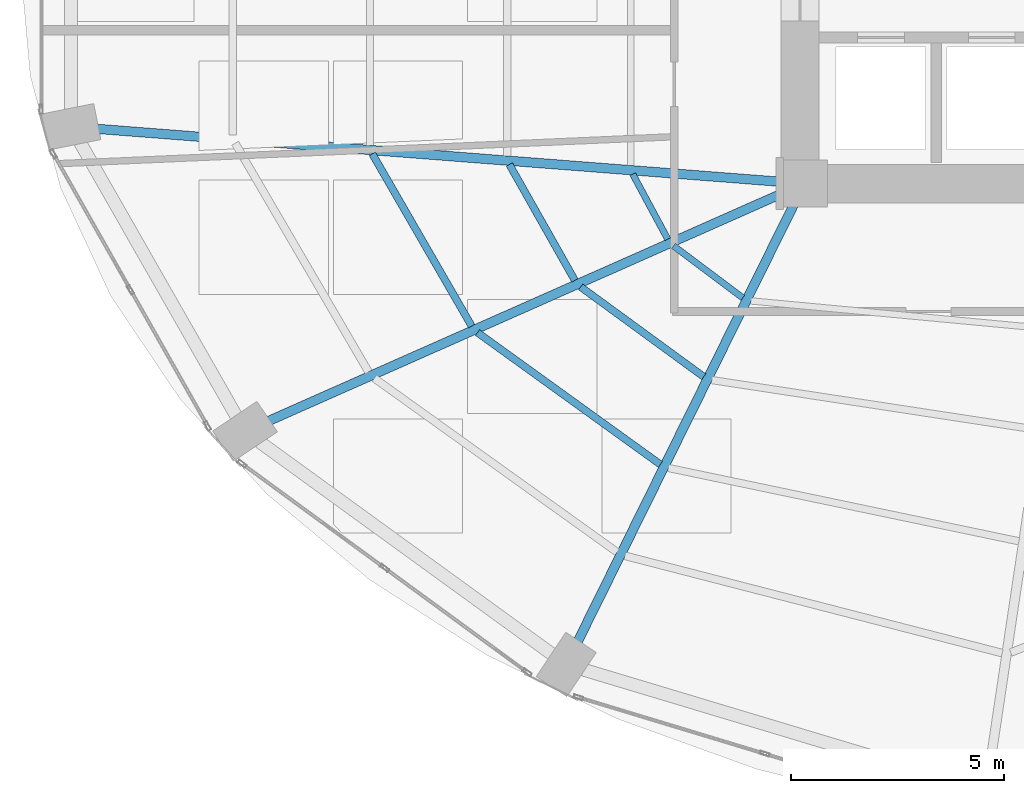
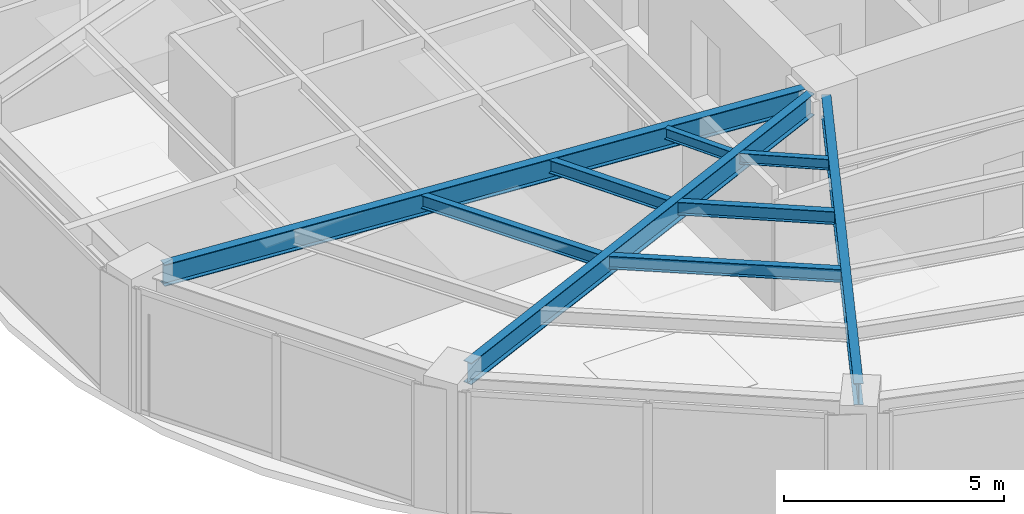
# One storey, part 4 of 25: 9 beams.
"""IFC4 building model written with IfcOpenShell, lengths in metres."""

import ifcopenshell
import ifcopenshell.guid

model = None  # the IFC model being written
_history = None  # IfcOwnerHistory: only IFC2X3 demands one
_inside = {}  # id of a spatial element -> (the spatial element, [elements in it])
_under = {}  # id of a project, library or spatial element -> (it, [spatial elements below it])
_declared = {}  # id of a project -> (the project, [libraries it declares])
_typed = {}  # id of a type object -> (the type object, [elements of that type])
_made_of = {}  # id of a material, layer set ... -> (it, [elements and type objects made of it])


def new_model(schema):
    """Start an empty IFC model of exactly this schema.

    Asked for "IFC4X3", IfcOpenShell would pick the latest addendum, in which some entities
    have other attributes; the version numbers below select the first issue.
    IFC2X3 requires an IfcOwnerHistory on every rooted entity: one is made here for all.
    """
    global model, _history
    if schema == "IFC4X3":
        model = ifcopenshell.file(schema_version=(4, 3, 0, 0))
    else:
        model = ifcopenshell.file(schema=schema)
    _inside.clear()
    _under.clear()
    _declared.clear()
    _typed.clear()
    _made_of.clear()
    _history = None
    if model.schema == "IFC2X3":
        org = make("IfcOrganization", Name="unknown")
        user = make(
            "IfcPersonAndOrganization",
            ThePerson=make("IfcPerson", FamilyName="unknown"),
            TheOrganization=org,
        )
        app = make(
            "IfcApplication",
            ApplicationDeveloper=org,
            Version="unknown",
            ApplicationFullName="unknown",
            ApplicationIdentifier="unknown",
        )
        _history = make(
            "IfcOwnerHistory",
            OwningUser=user,
            OwningApplication=app,
            ChangeAction="ADDED",
            CreationDate=0,
        )
    return model


def make(cls, **values):
    """One entity of the class cls with the attributes given. An attribute that is None is left unset."""
    return model.create_entity(
        cls, **{name: value for name, value in values.items() if value is not None}
    )


def rooted(cls, **values):
    """An entity with a GlobalId (a new one), such as an element, a storey or a relation."""
    return make(cls, GlobalId=ifcopenshell.guid.new(), OwnerHistory=_history, **values)


def si_unit(unit_type, name, prefix=None):
    """IfcSIUnit, for example si_unit("LENGTHUNIT", "METRE", prefix="MILLI")."""
    return make("IfcSIUnit", UnitType=unit_type, Prefix=prefix, Name=name)


def assignment(units):
    """IfcUnitAssignment: the units of a project."""
    return None if units is None else make("IfcUnitAssignment", Units=units)


def point(xyz):
    """IfcCartesianPoint."""
    return None if xyz is None else make("IfcCartesianPoint", Coordinates=xyz)


def direction(xyz):
    """IfcDirection."""
    return None if xyz is None else make("IfcDirection", DirectionRatios=xyz)


def frame(location, z_axis=None, x_axis=None):
    """IfcAxis2Placement3D, a coordinate frame: its origin and axes. An axis left out is left unset."""
    return make(
        "IfcAxis2Placement3D",
        Location=point(location),
        Axis=direction(z_axis),
        RefDirection=direction(x_axis),
    )


def frame_2d(location, x_axis=None):
    """IfcAxis2Placement2D, a coordinate frame in the plane: its origin and x axis."""
    return make(
        "IfcAxis2Placement2D", Location=point(location), RefDirection=direction(x_axis)
    )


def origin():
    """The frame at (0, 0, 0) with its axes left unset."""
    return frame((0.0, 0.0, 0.0))


def origin_2d():
    """The frame at (0, 0) in the plane with its x axis left unset."""
    return frame_2d((0.0, 0.0))


def place(relative_to, where):
    """IfcLocalPlacement: puts the frame where relative to a parent placement (None: the world)."""
    return make(
        "IfcLocalPlacement", PlacementRelTo=relative_to, RelativePlacement=where
    )


def context(
    kind, dimensions, precision=None, world=None, true_north=None, identifier=None
):
    """IfcGeometricRepresentationContext, for example the 3D "Model" context."""
    return make(
        "IfcGeometricRepresentationContext",
        ContextIdentifier=identifier,
        ContextType=kind,
        CoordinateSpaceDimension=dimensions,
        Precision=precision,
        WorldCoordinateSystem=world,
        TrueNorth=true_north,
    )


def subcontext(parent, identifier, kind, view, scale=None):
    """IfcGeometricRepresentationSubContext, for example "Body" below "Model"."""
    return make(
        "IfcGeometricRepresentationSubContext",
        ContextIdentifier=identifier,
        ContextType=kind,
        ParentContext=parent,
        TargetScale=scale,
        TargetView=view,
    )


def project(units=None, contexts=None):
    """IfcProject with its units and contexts."""
    return rooted(
        "IfcProject",
        Name="project",
        RepresentationContexts=contexts,
        UnitsInContext=assignment(units),
    )


def spatial(cls, under=None, at=None, **own):
    """A site, building, storey or space (cls), placed at a placement, below another one or the project."""
    s = rooted(cls, ObjectPlacement=at, **own)
    if under is not None:
        _under.setdefault(under.id(), (under, []))[1].append(s)
    return s


def profile(cls, at=None, kind="AREA", **sizes):
    """A parametric profile (cls). Its sizes go by their IFC names, for example OverallWidth=200.0."""
    return make(cls, ProfileType=kind, Position=at, **sizes)


def i_section(**sizes):
    """IfcIShapeProfileDef."""
    return profile("IfcIShapeProfileDef", **sizes)


def extrude(swept, where, along, depth):
    """IfcExtrudedAreaSolid: the profile swept, set in the frame where, extruded along a direction by depth."""
    return make(
        "IfcExtrudedAreaSolid",
        SweptArea=swept,
        Position=where,
        ExtrudedDirection=direction(along),
        Depth=depth,
    )


def shape(context_of_items, identifier, shape_type, items):
    """IfcShapeRepresentation: the items that make up one representation, for example the "Body"."""
    return make(
        "IfcShapeRepresentation",
        ContextOfItems=context_of_items,
        RepresentationIdentifier=identifier,
        RepresentationType=shape_type,
        Items=items,
    )


def material(Name=None, Category=None):
    """IfcMaterial."""
    return make("IfcMaterial", Name=Name, Category=Category)


def material_profile(
    of_material, cross_section, Name=None, Category=None, Priority=None
):
    """IfcMaterialProfile: a cross section and its material."""
    return make(
        "IfcMaterialProfile",
        Name=Name,
        Material=of_material,
        Profile=cross_section,
        Priority=Priority,
        Category=Category,
    )


def profile_set(profiles, Name=None, composite=None):
    """IfcMaterialProfileSet."""
    return make(
        "IfcMaterialProfileSet",
        Name=Name,
        MaterialProfiles=profiles,
        CompositeProfile=composite,
    )


def made_of(thing, what):
    """Note that an element or type object is made of a material, layer set ...; save() writes the relation."""
    if what is not None:
        _made_of.setdefault(what.id(), (what, []))[1].append(thing)
    return thing


def type_object(cls, material=None, **own):
    """A type object (cls), such as IfcWallType, which elements share."""
    return made_of(rooted(cls, **own), material)


def element(
    cls,
    number,
    at=None,
    inside=None,
    cuts=None,
    type_object=None,
    material=None,
    context=None,
    identifier="Body",
    shape_type=None,
    held_by="IfcProductDefinitionShape",
    body=None,
    shapes=None,
    **own,
):
    """One element of the class cls, such as IfcWall. Its Tag is "e" and its number.

    at: its placement. inside: the storey or other place that contains it. cuts: it is an
    opening in that element (IfcRelVoidsElement). A single representation is given by context,
    identifier, shape_type and body (its items); several are given by shapes. held_by: the class
    of the entity that holds the representations. save() writes the other relations.
    """
    e = rooted(cls, Tag="e%d" % number, ObjectPlacement=at, **own)
    if body is not None:
        shapes = [shape(context, identifier, shape_type, body)]
    if shapes is not None:
        e.Representation = make(held_by, Representations=shapes)
    if inside is not None:
        _inside.setdefault(inside.id(), (inside, []))[1].append(e)
    if cuts is not None:
        rooted(
            "IfcRelVoidsElement", RelatingBuildingElement=cuts, RelatedOpeningElement=e
        )
    if type_object is not None:
        _typed.setdefault(type_object.id(), (type_object, []))[1].append(e)
    return made_of(e, material)


def aggregate(whole, parts):
    """IfcRelAggregates: a whole, such as a stair, and the parts it consists of."""
    return rooted("IfcRelAggregates", RelatingObject=whole, RelatedObjects=parts)


def save(model, path):
    """Write the relations noted so far, then the file.

    IfcRelAggregates (storeys below a building ...), IfcRelContainedInSpatialStructure (elements
    in a storey), IfcRelDefinesByType, IfcRelAssociatesMaterial and IfcRelDeclares: one each for
    every whole, place, type object, material and project.
    """
    for whole, parts in _under.values():
        aggregate(whole, parts)
    for where, things in _inside.values():
        rooted(
            "IfcRelContainedInSpatialStructure",
            RelatedElements=things,
            RelatingStructure=where,
        )
    for kind, things in _typed.values():
        rooted("IfcRelDefinesByType", RelatedObjects=things, RelatingType=kind)
    for what, things in _made_of.values():
        rooted("IfcRelAssociatesMaterial", RelatedObjects=things, RelatingMaterial=what)
    for by, libraries in _declared.values():
        rooted("IfcRelDeclares", RelatingContext=by, RelatedDefinitions=libraries)
    model.write(path)


model = new_model("IFC4")

# Units and contexts
model_context = context("Model", 3, precision=1e-05, world=origin(), true_north=direction((0.0, 1.0)))
body_context = subcontext(model_context, "Body", "Model", "MODEL_VIEW")
ifc_project = project(units=[si_unit("LENGTHUNIT", "METRE"), si_unit("AREAUNIT", "SQUARE_METRE"), si_unit("VOLUMEUNIT", "CUBIC_METRE"), si_unit("PLANEANGLEUNIT", "RADIAN"), si_unit("MASSUNIT", "GRAM", prefix="KILO")], contexts=[model_context])

# Site, building, storey
site_placement = place(None, origin())
site = spatial("IfcSite", under=ifc_project, at=site_placement, CompositionType="ELEMENT")
building_placement = place(site_placement, origin())
building = spatial("IfcBuilding", under=site, at=building_placement, Name="Lazwardi Medical Tower", CompositionType="ELEMENT")
storey_placement = place(building_placement, frame((0.0, 0.0, 43.43994140625)))
storey = spatial("IfcBuildingStorey", under=building, at=storey_placement, Name="L10", CompositionType="ELEMENT", Elevation=43.43994140625)

# Beams
ifc_material = material(Name="Steel S355", Category="steel")
ifc_material_profile_1 = material_profile(ifc_material, i_section(OverallWidth=0.219970703125, OverallDepth=0.60009765625, WebThickness=0.011962890625, FlangeThickness=0.01904296875, at=origin_2d()), Name="IPE 600")
ifc_profile_set_1 = profile_set([ifc_material_profile_1], Name="Steel S355")
beam_type_1 = type_object("IfcBeamType", Name="BM-RG-W1", PredefinedType="BEAM", material=ifc_profile_set_1)
beam_1_placement = place(storey_placement, frame((9.7783203125, 21.6875, 3.128173828125), z_axis=(0.997013942066, -0.077221754231, 0.0), x_axis=(0.077221754231, 0.997013942066, 0.0)))
element("IfcBeam", 1, at=beam_1_placement, inside=storey, type_object=beam_type_1, Name="Radial girder RG-02 R13 L10", PredefinedType="BEAM", context=body_context, shape_type="SweptSolid", body=[
    extrude(i_section(OverallWidth=0.219970703125, OverallDepth=0.60009765625, WebThickness=0.011962890625, FlangeThickness=0.01904296875, at=origin_2d()), origin(), (0.0, 0.0, 1.0), 16.136474609375),
])
beam_2_placement = place(storey_placement, frame((13.810302734375, 14.82080078125, 3.128173828125), z_axis=(0.914252189566, 0.405145571214, 0.0), x_axis=(-0.405145571214, 0.914252189566, 0.0)))
element("IfcBeam", 2, at=beam_2_placement, inside=storey, type_object=beam_type_1, Name="Radial girder RG-02 R14 L10", PredefinedType="BEAM", context=body_context, shape_type="SweptSolid", body=[
    extrude(i_section(OverallWidth=0.219970703125, OverallDepth=0.60009765625, WebThickness=0.011962890625, FlangeThickness=0.01904296875, at=origin_2d()), origin(), (0.0, 0.0, 1.0), 13.235595703125),
])
beam_3_placement = place(storey_placement, frame((21.076171875, 9.635986328125, 3.128173828125), z_axis=(0.443336723706, 0.896355146922, 0.0), x_axis=(-0.896355146922, 0.443336723706, 0.0)))
element("IfcBeam", 3, at=beam_3_placement, inside=storey, type_object=beam_type_1, Name="Radial girder RG-02 R15 L10", PredefinedType="BEAM", context=body_context, shape_type="SweptSolid", body=[
    extrude(i_section(OverallWidth=0.219970703125, OverallDepth=0.60009765625, WebThickness=0.011962890625, FlangeThickness=0.01904296875, at=origin_2d()), origin(), (0.0, 0.0, 1.0), 11.4736328125),
])
ifc_material_profile_2 = material_profile(ifc_material, i_section(OverallWidth=0.169921875, OverallDepth=0.360107421875, WebThickness=0.008056640625, FlangeThickness=0.0126953125, at=origin_2d()), Name="IPE 360")
ifc_profile_set_2 = profile_set([ifc_material_profile_2], Name="Steel S355")
beam_type_2 = type_object("IfcBeamType", Name="BM-SJ-02", PredefinedType="JOIST", material=ifc_profile_set_2)
beam_4_placement = place(storey_placement, frame((16.26611328125, 21.09814453125, 3.248046875), z_axis=(0.499785866494, -0.866148998529, 0.0), x_axis=(0.866148998529, 0.499785866494, 0.0)))
element("IfcBeam", 4, at=beam_4_placement, inside=storey, type_object=beam_type_2, Name="Secondary joist SJ-02 R2 B13 L10", PredefinedType="JOIST", context=body_context, shape_type="SweptSolid", body=[
    extrude(i_section(OverallWidth=0.169921875, OverallDepth=0.360107421875, WebThickness=0.008056640625, FlangeThickness=0.0126953125, at=origin_2d()), origin(), (0.0, 0.0, 1.0), 4.666015625),
])
beam_5_placement = place(storey_placement, frame((18.73583984375, 16.904296875, 3.248046875), z_axis=(0.811142764961, -0.584848198127, 0.0), x_axis=(0.584848198127, 0.811142764961, 0.0)))
element("IfcBeam", 5, at=beam_5_placement, inside=storey, type_object=beam_type_2, Name="Secondary joist SJ-02 R2 B14 L10", PredefinedType="JOIST", context=body_context, shape_type="SweptSolid", body=[
    extrude(i_section(OverallWidth=0.169921875, OverallDepth=0.360107421875, WebThickness=0.008056640625, FlangeThickness=0.0126953125, at=origin_2d()), origin(), (0.0, 0.0, 1.0), 5.28857421875),
])
beam_6_placement = place(storey_placement, frame((19.48291015625, 20.848388671875, 3.248046875), z_axis=(0.491923287977, -0.870638546554, 0.0), x_axis=(0.870638546554, 0.491923287977, 0.0)))
element("IfcBeam", 6, at=beam_6_placement, inside=storey, type_object=beam_type_2, Name="Secondary joist SJ-02 R3 B13 L10", PredefinedType="JOIST", context=body_context, shape_type="SweptSolid", body=[
    extrude(i_section(OverallWidth=0.169921875, OverallDepth=0.360107421875, WebThickness=0.008056640625, FlangeThickness=0.0126953125, at=origin_2d()), origin(), (0.0, 0.0, 1.0), 3.122802734375),
])
beam_7_placement = place(storey_placement, frame((21.155517578125, 17.976318359375, 3.248046875), z_axis=(0.80770129933, -0.589591902132, 0.0), x_axis=(0.589591902132, 0.80770129933, 0.0)))
element("IfcBeam", 7, at=beam_7_placement, inside=storey, type_object=beam_type_2, Name="Secondary joist SJ-02 R3 B14 L10", PredefinedType="JOIST", context=body_context, shape_type="SweptSolid", body=[
    extrude(i_section(OverallWidth=0.169921875, OverallDepth=0.360107421875, WebThickness=0.008056640625, FlangeThickness=0.0126953125, at=origin_2d()), origin(), (0.0, 0.0, 1.0), 3.5751953125),
])
ifc_material_profile_3 = material_profile(ifc_material, i_section(OverallWidth=0.14990234375, OverallDepth=0.300048828125, WebThickness=0.007080078125, FlangeThickness=0.0107421875, at=origin_2d()), Name="IPE 300")
ifc_profile_set_3 = profile_set([ifc_material_profile_3], Name="Steel S355")
beam_type_3 = type_object("IfcBeamType", Name="BM-SJ-03", PredefinedType="JOIST", material=ifc_profile_set_3)
beam_8_placement = place(storey_placement, frame((22.376953125, 20.623046875, 3.278076171875), z_axis=(0.473982292828, -0.880534375301, 0.0), x_axis=(0.880534375301, 0.473982292828, 0.0)))
element("IfcBeam", 8, at=beam_8_placement, inside=storey, type_object=beam_type_3, Name="Secondary joist SJ-03 R4 B13 L10", PredefinedType="JOIST", context=body_context, shape_type="SweptSolid", body=[
    extrude(i_section(OverallWidth=0.14990234375, OverallDepth=0.300048828125, WebThickness=0.007080078125, FlangeThickness=0.0107421875, at=origin_2d()), origin(), (0.0, 0.0, 1.0), 1.734375),
])
beam_9_placement = place(storey_placement, frame((23.332763671875, 18.9404296875, 3.278076171875), z_axis=(0.800115247939, -0.599846305328, 0.0), x_axis=(0.599846305328, 0.800115247939, 0.0)))
element("IfcBeam", 9, at=beam_9_placement, inside=storey, type_object=beam_type_3, Name="Secondary joist SJ-03 R4 B14 L10", PredefinedType="JOIST", context=body_context, shape_type="SweptSolid", body=[
    extrude(i_section(OverallWidth=0.14990234375, OverallDepth=0.300048828125, WebThickness=0.007080078125, FlangeThickness=0.0107421875, at=origin_2d()), origin(), (0.0, 0.0, 1.0), 2.033447265625),
])

save(model, "model.ifc")
